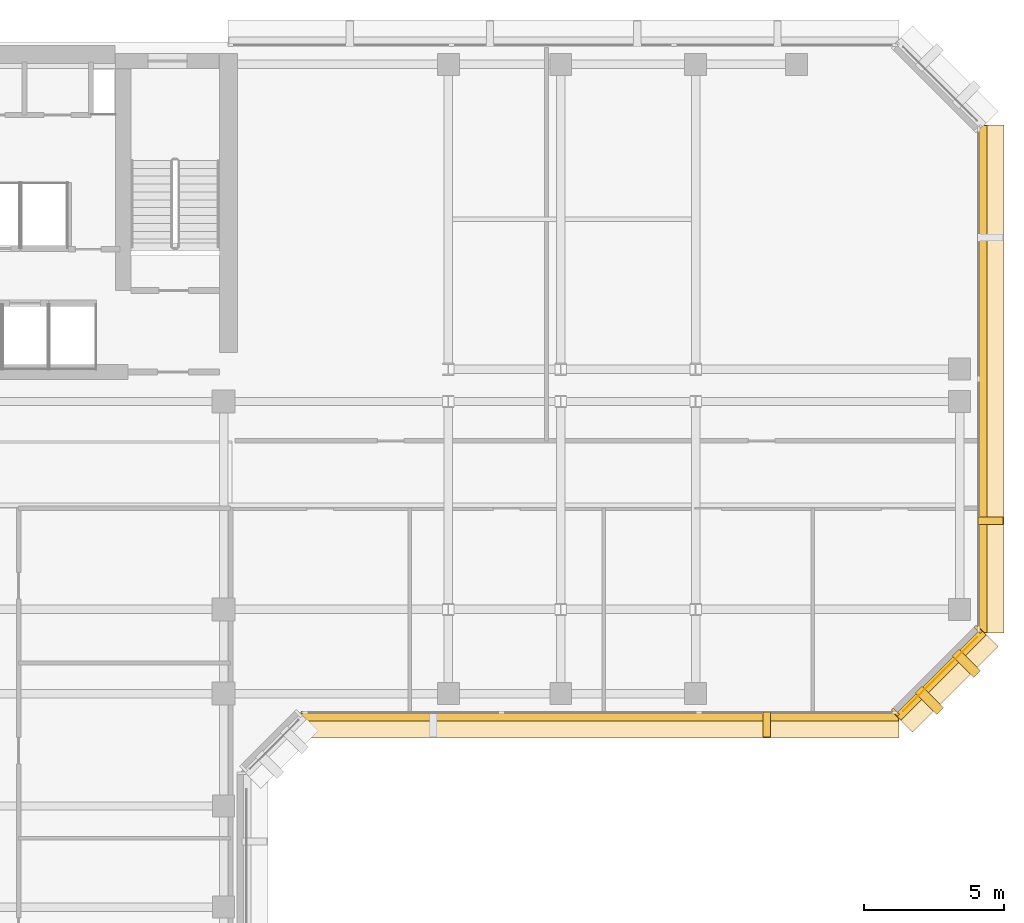
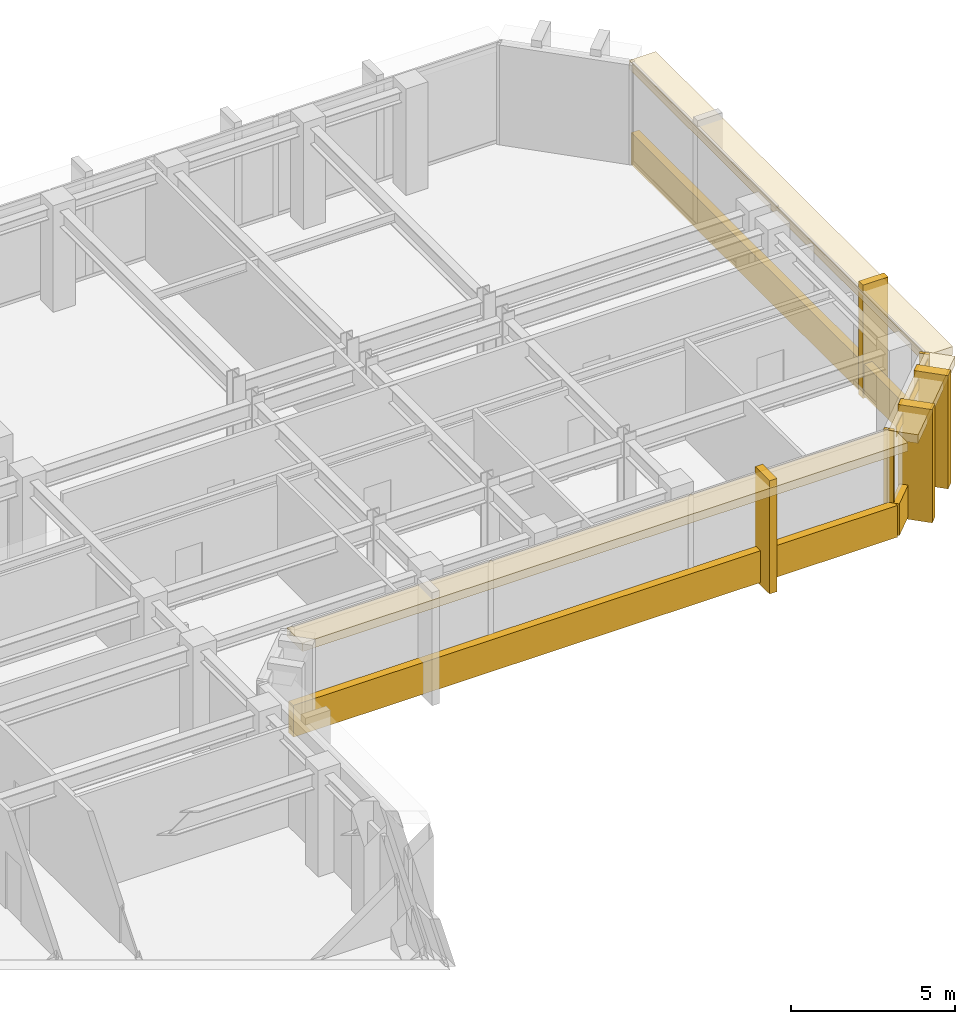
# One storey, part 10 of 12: 13 coverings.
"""IFC4 building model written with IfcOpenShell, lengths in metres."""

from ifc_helpers import new_model, si_unit, direction, frame, origin, origin_2d, place, context, subcontext, project, spatial, rectangle, extrude, material, layer, layer_set, type_object, element, save


model = new_model("IFC4")

# Units and contexts
model_context = context("Model", 3, precision=1e-05, world=origin(), true_north=direction((0.0, 1.0)))
body_context = subcontext(model_context, "Body", "Model", "MODEL_VIEW")
ifc_project = project(units=[si_unit("LENGTHUNIT", "METRE"), si_unit("AREAUNIT", "SQUARE_METRE"), si_unit("VOLUMEUNIT", "CUBIC_METRE"), si_unit("PLANEANGLEUNIT", "RADIAN"), si_unit("MASSUNIT", "GRAM", prefix="KILO")], contexts=[model_context])

# Site, building, storey
site_placement = place(None, origin())
site = spatial("IfcSite", under=ifc_project, at=site_placement, CompositionType="ELEMENT")
building_placement = place(site_placement, origin())
building = spatial("IfcBuilding", under=site, at=building_placement, Name="Kefirva Bronze Tower", CompositionType="ELEMENT")
storey_placement = place(building_placement, frame((0.0, 0.0, 211.199951171875)))
storey = spatial("IfcBuildingStorey", under=building, at=storey_placement, Name="L51", CompositionType="ELEMENT", Elevation=211.199951171875)

# Coverings
ifc_material = material(Name="Bronze anodised aluminium", Category="aluminium")
ifc_layer_1 = layer(ifc_material, 0.02001953125, Name="Bronze anodised aluminium")
ifc_layer_set_1 = layer_set([ifc_layer_1], Name="Bronze anodised aluminium")
covering_type_1 = type_object("IfcCoveringType", Name="Anodised Bronze Spandrel Cladding 20mm", PredefinedType="CLADDING", material=ifc_layer_set_1)
covering_1_placement = place(storey_placement, frame((36.60009765625, 21.9599609375, -0.16015625), z_axis=(0.0, 0.0, 1.0), x_axis=(1.0, 0.0, 0.0)))
element("IfcCovering", 1, at=covering_1_placement, inside=storey, type_object=covering_type_1, Name="L51 Streamline Horizontal Spandrel Band 8", PredefinedType="CLADDING", context=body_context, shape_type="SweptSolid", body=[
    extrude(rectangle(XDim=21.239990234375, YDim=0.280029296875, at=origin_2d()), origin(), (0.0, 0.0, 1.0), 1.179931640625),
])
covering_2_placement = place(storey_placement, frame((48.70703125, 23.492919921875, 3.2900390625), z_axis=(0.0, 0.0, 1.0), x_axis=(0.707106781187, 0.707106781187, 0.0)))
element("IfcCovering", 2, at=covering_2_placement, inside=storey, type_object=covering_type_1, Name="L51 Bronze Spandrel Cladding 7", PredefinedType="CLADDING", context=body_context, shape_type="SweptSolid", body=[
    extrude(rectangle(XDim=3.719482421875, YDim=0.02001953125, at=origin_2d()), origin(), (0.0, 0.0, 1.0), 0.39990234375),
])
for number, where, z_axis, x_axis, name in (
    (3, (47.11181640625, 22.137939453125, 0.0), (0.0, 0.0, 1.0), (0.707106781187, 0.707106781187, 0.0), "L51 Facade Joint Closure Panel 7S"),
    (4, (50.06201171875, 25.08837890625, 0.0), (0.0, 0.0, 1.0), (0.707106781187, 0.707106781187, 0.0), "L51 Facade Joint Closure Panel 7E"),
):
    element("IfcCovering", number, at=place(storey_placement, frame(where, z_axis=z_axis, x_axis=x_axis)), inside=storey, type_object=covering_type_1, Name=name, PredefinedType="CLADDING", context=body_context, shape_type="SweptSolid", body=[
        extrude(rectangle(XDim=0.10009765625, YDim=0.320068359375, at=origin_2d()), origin(), (0.0, 0.0, 1.0), 3.7099609375),
    ])
covering_3_placement = place(storey_placement, frame((48.728271484375, 23.4716796875, -0.16015625), z_axis=(0.0, 0.0, 1.0), x_axis=(0.707106781187, 0.707106781187, 0.0)))
element("IfcCovering", 5, at=covering_3_placement, inside=storey, type_object=covering_type_1, Name="L51 Streamline Horizontal Spandrel Band 9", PredefinedType="CLADDING", context=body_context, shape_type="SweptSolid", body=[
    extrude(rectangle(XDim=4.28271484375, YDim=0.280029296875, at=origin_2d()), origin(), (0.0, 0.0, 1.0), 1.179931640625),
])
covering_4_placement = place(storey_placement, frame((50.239990234375, 34.0, -0.16015625), z_axis=(0.0, 0.0, 1.0), x_axis=(0.0, 1.0, 0.0)))
element("IfcCovering", 6, at=covering_4_placement, inside=storey, type_object=covering_type_1, Name="L51 Streamline Horizontal Spandrel Band 10", PredefinedType="CLADDING", context=body_context, shape_type="SweptSolid", body=[
    extrude(rectangle(XDim=18.0400390625, YDim=0.280029296875, at=origin_2d()), origin(), (0.0, 0.0, 1.0), 1.179931640625),
])
ifc_layer_2 = layer(ifc_material, 0.179931640625, Name="Bronze anodised aluminium")
ifc_layer_set_2 = layer_set([ifc_layer_2], Name="Bronze anodised aluminium")
covering_type_2 = type_object("IfcCoveringType", Name="Streamline Bronze Sunshade Eyebrow Cladding 180mm", PredefinedType="CLADDING", material=ifc_layer_set_2)
covering_5_placement = place(storey_placement, frame((36.60009765625, 21.68994140625, 3.39013671875), z_axis=(0.0, 0.0, 1.0), x_axis=(1.0, 0.0, 0.0)))
element("IfcCovering", 7, at=covering_5_placement, inside=storey, type_object=covering_type_2, Name="L51 Streamline Bronze Sunshade Eyebrow 8", PredefinedType="CLADDING", context=body_context, shape_type="SweptSolid", body=[
    extrude(rectangle(XDim=21.280029296875, YDim=0.93994140625, at=origin_2d()), origin(), (0.0, 0.0, 1.0), 0.320068359375),
])
covering_6_placement = place(storey_placement, frame((48.919189453125, 23.28076171875, 3.39013671875), z_axis=(0.0, 0.0, 1.0), x_axis=(0.707106781187, 0.707106781187, 0.0)))
element("IfcCovering", 8, at=covering_6_placement, inside=storey, type_object=covering_type_2, Name="L51 Streamline Bronze Sunshade Eyebrow 9", PredefinedType="CLADDING", context=body_context, shape_type="SweptSolid", body=[
    extrude(rectangle(XDim=4.322509765625, YDim=0.93994140625, at=origin_2d()), origin(), (0.0, 0.0, 1.0), 0.320068359375),
])
covering_7_placement = place(storey_placement, frame((50.510009765625, 34.0, 3.39013671875), z_axis=(0.0, 0.0, 1.0), x_axis=(0.0, 1.0, 0.0)))
element("IfcCovering", 9, at=covering_7_placement, inside=storey, type_object=covering_type_2, Name="L51 Streamline Bronze Sunshade Eyebrow 10", PredefinedType="CLADDING", context=body_context, shape_type="SweptSolid", body=[
    extrude(rectangle(XDim=18.080078125, YDim=0.93994140625, at=origin_2d()), origin(), (0.0, 0.0, 1.0), 0.320068359375),
])
ifc_layer_3 = layer(ifc_material, 0.260009765625, Name="Bronze anodised aluminium")
ifc_layer_set_3 = layer_set([ifc_layer_3], Name="Bronze anodised aluminium")
covering_type_3 = type_object("IfcCoveringType", Name="Unbroken Bronze Buttress Fin Cladding 260mm", PredefinedType="CLADDING", material=ifc_layer_set_3)
covering_8_placement = place(storey_placement, frame((42.535888671875, 21.699951171875, -0.25), z_axis=(0.0, 0.0, 1.0), x_axis=(1.0, 0.0, 0.0)))
element("IfcCovering", 10, at=covering_8_placement, inside=storey, type_object=covering_type_3, Name="L51 Unbroken Vertical Bronze Rib Fin 10", PredefinedType="CLADDING", context=body_context, shape_type="SweptSolid", body=[
    extrude(rectangle(XDim=0.260009765625, YDim=0.8798828125, at=origin_2d()), origin(), (0.0, 0.0, 1.0), 4.2099609375),
])
for number, where, z_axis, x_axis, name in (
    (11, (48.32275390625, 22.55712890625, -0.25), (0.0, 0.0, 1.0), (0.707106781187, 0.707106781187, 0.0), "L51 Chamfered Corner Buttress Fin Cladding 11"),
    (12, (49.642822265625, 23.877197265625, -0.25), (0.0, 0.0, 1.0), (0.707106781187, 0.707106781187, 0.0), "L51 Chamfered Corner Buttress Fin Cladding 12"),
):
    element("IfcCovering", number, at=place(storey_placement, frame(where, z_axis=z_axis, x_axis=x_axis)), inside=storey, type_object=covering_type_3, Name=name, PredefinedType="CLADDING", context=body_context, shape_type="SweptSolid", body=[
        extrude(rectangle(XDim=0.340087890625, YDim=1.080078125, at=origin_2d()), origin(), (0.0, 0.0, 1.0), 4.2099609375),
    ])
covering_9_placement = place(storey_placement, frame((50.5, 28.9599609375, -0.25), z_axis=(0.0, 0.0, 1.0), x_axis=(0.0, 1.0, 0.0)))
element("IfcCovering", 13, at=covering_9_placement, inside=storey, type_object=covering_type_3, Name="L51 Unbroken Vertical Bronze Rib Fin 13", PredefinedType="CLADDING", context=body_context, shape_type="SweptSolid", body=[
    extrude(rectangle(XDim=0.260009765625, YDim=0.8798828125, at=origin_2d()), origin(), (0.0, 0.0, 1.0), 4.2099609375),
])

save(model, "model.ifc")
